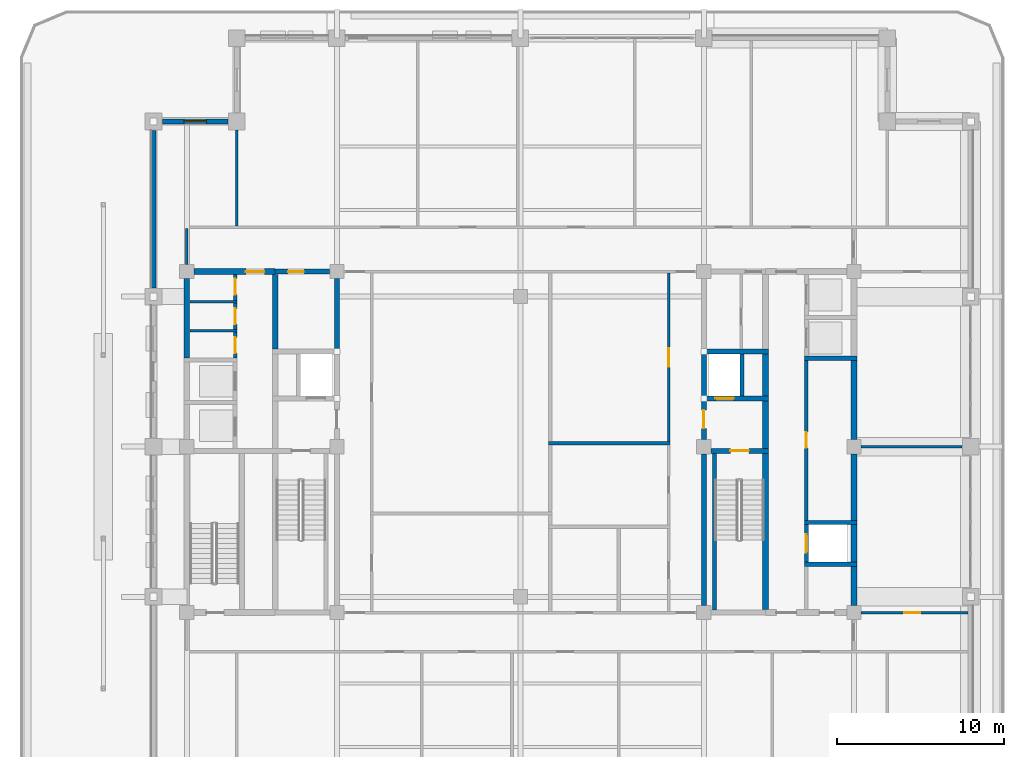
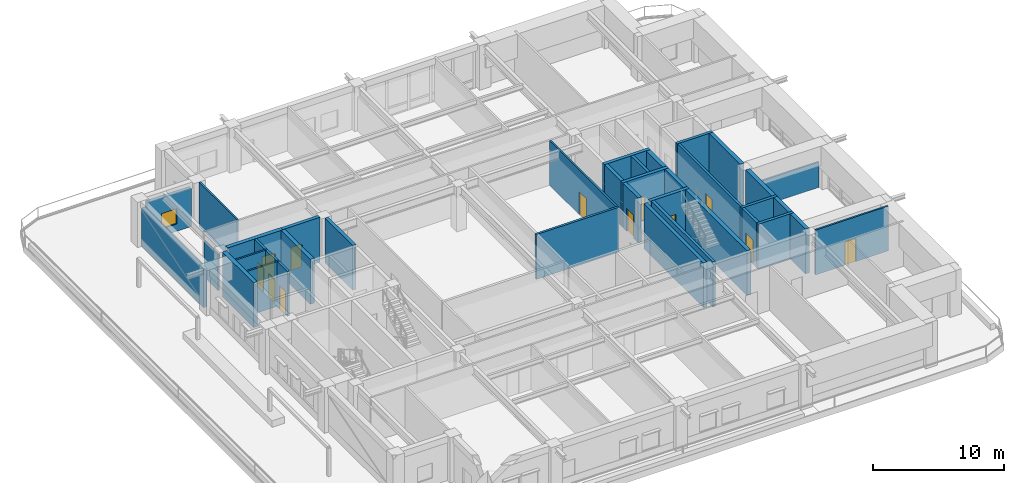
# One storey, part 10 of 20: 38 walls, 12 doors, 1 window, 13 openings.
"""IFC4 building model written with IfcOpenShell, lengths in metres."""

from ifc_helpers import new_model, si_unit, direction, frame, frame_2d, origin, place, context, subcontext, project, spatial, rectangle, extrude, material, layer, layer_set, type_object, element, fill, save


model = new_model("IFC4")

# Units and contexts
model_context = context("Model", 3, precision=1e-05, world=origin(), true_north=direction((0.0, 1.0)))
body_context = subcontext(model_context, "Body", "Model", "MODEL_VIEW")
ifc_project = project(units=[si_unit("LENGTHUNIT", "METRE"), si_unit("AREAUNIT", "SQUARE_METRE"), si_unit("VOLUMEUNIT", "CUBIC_METRE"), si_unit("PLANEANGLEUNIT", "RADIAN"), si_unit("MASSUNIT", "GRAM", prefix="KILO")], contexts=[model_context])

# Site, building, storey
site_placement = place(None, origin())
site = spatial("IfcSite", under=ifc_project, at=site_placement, CompositionType="ELEMENT")
building_placement = place(site_placement, origin())
building = spatial("IfcBuilding", under=site, at=building_placement, Name="Zulmaris Gate Convention Tower", CompositionType="ELEMENT")
storey_placement = place(building_placement, frame((0.0, 0.0, 158.23974609375)))
storey = spatial("IfcBuildingStorey", under=building, at=storey_placement, Name="L40", CompositionType="ELEMENT", Elevation=158.23974609375)

# Walls
ifc_material_1 = material(Name="Concrete C50/60", Category="concrete")
ifc_layer_1 = layer(ifc_material_1, 0.25, Name="Concrete C50/60")
ifc_layer_set_1 = layer_set([ifc_layer_1], Name="Concrete C50/60")
wall_type_1 = type_object("IfcWallType", Name="CORE-250", PredefinedType="SOLIDWALL", material=ifc_layer_set_1)
for number, where, z_axis, x_axis, name in (
    (1, (17.02490234375, -7.050048828125, 0.0), (0.0, 0.0, 1.0), (1.0, 0.0, 0.0), "WL-L40-005"),
    (2, (17.02490234375, -4.550048828125, 0.0), (0.0, 0.0, 1.0), (1.0, 0.0, 0.0), "WL-L40-006"),
    (3, (17.02490234375, 5.300048828125, 0.0), (0.0, 0.0, 1.0), (1.0, 0.0, 0.0), "WL-L40-013"),
):
    element("IfcWall", number, at=place(storey_placement, frame(where, z_axis=z_axis, x_axis=x_axis)), inside=storey, type_object=wall_type_1, Name=name, PredefinedType="SOLIDWALL", context=body_context, shape_type="SweptSolid", body=[
        extrude(rectangle(XDim=3.150146484375, YDim=0.25, at=frame_2d((1.5751953125, 0.0))), origin(), (0.0, 0.0, 1.0), 4.170166015625),
    ])
wall_1_placement = place(storey_placement, frame((11.64990234375, -9.798095703125, 0.0), z_axis=(0.0, 0.0, 1.0), x_axis=(0.0, 1.0, 0.0)))
element("IfcWall", 4, at=wall_1_placement, inside=storey, type_object=wall_type_1, Name="WL-L40-054", PredefinedType="SOLIDWALL", context=body_context, shape_type="SweptSolid", body=[
    extrude(rectangle(XDim=9.39599609375, YDim=0.25, at=frame_2d((4.697998046875, 0.0))), origin(), (0.0, 0.0, 1.0), 4.170166015625),
])
wall_2_placement = place(storey_placement, frame((13.300048828125, 3.052001953125, 0.0), z_axis=(0.0, 0.0, 1.0), x_axis=(0.0, 1.0, 0.0)))
element("IfcWall", 5, at=wall_2_placement, inside=storey, type_object=wall_type_1, Name="WL-L40-055", PredefinedType="SOLIDWALL", context=body_context, shape_type="SweptSolid", body=[
    extrude(rectangle(XDim=2.49609375, YDim=0.25, at=frame_2d((1.248046875, 0.0))), origin(), (0.0, 0.0, 1.0), 4.170166015625),
])

# Wall, opening, door
wall_3_placement = place(storey_placement, frame((17.14990234375, -6.923095703125, 0.0), z_axis=(0.0, 0.0, 1.0), x_axis=(0.0, 1.0, 0.0)))
wall_3 = element("IfcWall", 6, at=wall_3_placement, inside=storey, type_object=wall_type_1, Name="WL-L40-060", PredefinedType="SOLIDWALL", context=body_context, shape_type="SweptSolid", body=[
    extrude(rectangle(XDim=2.24609375, YDim=0.25, at=frame_2d((1.123046875, 0.0))), origin(), (0.0, 0.0, 1.0), 4.170166015625),
])
opening_1_placement = place(wall_3_placement, frame((0.572998046875, 0.0, 0.0)))
opening_1 = element("IfcOpeningElement", 7, at=opening_1_placement, cuts=wall_3, Name="Opening D-06", PredefinedType="OPENING", context=body_context, shape_type="SweptSolid", body=[
    extrude(rectangle(XDim=1.10009765625, YDim=2.199951171875, at=frame_2d((0.550048828125, 1.10009765625))), frame((0.0, 0.135009765625, 0.0), z_axis=(0.0, -1.0, 0.0), x_axis=(1.0, 0.0, 0.0)), (0.0, 0.0, 1.0), 0.27001953125),
])
ifc_material_2 = material(Name="Brushed Stainless Steel", Category="steel")
door_type_1 = type_object("IfcDoorType", Name="LD-1100", OperationType="NOTDEFINED", PredefinedType="DOOR", material=ifc_material_2)
door_1_placement = place(opening_1_placement, origin())
door_1 = element("IfcDoor", 8, at=door_1_placement, inside=storey, type_object=door_type_1, Name="L40 Lift Landing Door SL-02 17", OperationType="SLIDING_TO_RIGHT", OverallHeight=2.199951171875, OverallWidth=1.10009765625, PredefinedType="DOOR", context=body_context, shape_type="SweptSolid", body=[
    extrude(rectangle(XDim=1.10009765625, YDim=2.199951171875, at=frame_2d((0.550048828125, 1.10009765625))), frame((0.0, 0.02490234375, 0.0), z_axis=(0.0, -1.0, 0.0), x_axis=(1.0, 0.0, 0.0)), (0.0, 0.0, 1.0), 0.050048828125),
])
fill(opening_1, door_1)

ifc_layer_2 = layer(ifc_material_1, 0.300048828125, Name="Concrete C50/60")
ifc_layer_set_2 = layer_set([ifc_layer_2], Name="Concrete C50/60")
wall_type_2 = type_object("IfcWallType", Name="CORE-300", PredefinedType="SHEAR", material=ifc_layer_set_2)
wall_4_placement = place(storey_placement, frame((11.428955078125, -0.25, 0.0), z_axis=(0.0, 0.0, 1.0), x_axis=(1.0, 0.0, 0.0)))
wall_4 = element("IfcWall", 9, at=wall_4_placement, inside=storey, type_object=wall_type_2, Name="WL-L40-008", PredefinedType="SHEAR", context=body_context, shape_type="SweptSolid", body=[
    extrude(rectangle(XDim=3.446044921875, YDim=0.300048828125, at=frame_2d((1.72314453125, 0.0))), origin(), (0.0, 0.0, 1.0), 4.170166015625),
])
opening_2_placement = place(wall_4_placement, frame((1.1708984375, 0.0, 0.0)))
opening_2 = element("IfcOpeningElement", 10, at=opening_2_placement, cuts=wall_4, Name="Opening D-08", PredefinedType="OPENING", context=body_context, shape_type="SweptSolid", body=[
    extrude(rectangle(XDim=1.10009765625, YDim=2.14990234375, at=frame_2d((0.550048828125, 1.074951171875))), frame((0.0, 0.16015625, 0.0), z_axis=(0.0, -1.0, 0.0), x_axis=(1.0, 0.0, 0.0)), (0.0, 0.0, 1.0), 0.320068359375),
])
ifc_material_3 = material(Name="Fire-Rated Steel", Category="steel")
door_type_2 = type_object("IfcDoorType", Name="DR-1100-FD", OperationType="NOTDEFINED", PredefinedType="DOOR", material=ifc_material_3)
door_2_placement = place(opening_2_placement, origin())
door_2 = element("IfcDoor", 11, at=door_2_placement, inside=storey, type_object=door_type_2, Name="L40 Exit Stair ST-2 Door 04", OperationType="SINGLE_SWING_RIGHT", OverallHeight=2.14990234375, OverallWidth=1.10009765625, PredefinedType="DOOR", context=body_context, shape_type="SweptSolid", body=[
    extrude(rectangle(XDim=1.10009765625, YDim=2.14990234375, at=frame_2d((0.550048828125, 1.074951171875))), frame((0.0, 0.02490234375, 0.0), z_axis=(0.0, -1.0, 0.0), x_axis=(1.0, 0.0, 0.0)), (0.0, 0.0, 1.0), 0.050048828125),
])
fill(opening_2, door_2)

wall_5_placement = place(storey_placement, frame((10.85009765625, 2.89990234375, 0.0), z_axis=(0.0, 0.0, 1.0), x_axis=(1.0, 0.0, 0.0)))
wall_5 = element("IfcWall", 12, at=wall_5_placement, inside=storey, type_object=wall_type_2, Name="WL-L40-011", PredefinedType="SHEAR", context=body_context, shape_type="SweptSolid", body=[
    extrude(rectangle(XDim=4.02490234375, YDim=0.300048828125, at=frame_2d((2.012451171875, 0.0))), origin(), (0.0, 0.0, 1.0), 4.170166015625),
])
opening_3_placement = place(wall_5_placement, frame((0.85009765625, 0.0, 0.0)))
opening_3 = element("IfcOpeningElement", 13, at=opening_3_placement, cuts=wall_5, Name="Opening D-06", PredefinedType="OPENING", context=body_context, shape_type="SweptSolid", body=[
    extrude(rectangle(XDim=1.10009765625, YDim=2.199951171875, at=frame_2d((0.550048828125, 1.10009765625))), frame((0.0, 0.16015625, 0.0), z_axis=(0.0, -1.0, 0.0), x_axis=(1.0, 0.0, 0.0)), (0.0, 0.0, 1.0), 0.320068359375),
])
door_3_placement = place(opening_3_placement, origin())
door_3 = element("IfcDoor", 14, at=door_3_placement, inside=storey, type_object=door_type_1, Name="L40 Lift Landing Door LF-02 06", OperationType="SLIDING_TO_RIGHT", OverallHeight=2.199951171875, OverallWidth=1.10009765625, PredefinedType="DOOR", context=body_context, shape_type="SweptSolid", body=[
    extrude(rectangle(XDim=1.10009765625, YDim=2.199951171875, at=frame_2d((0.550048828125, 1.10009765625))), frame((0.0, 0.02490234375, 0.0), z_axis=(0.0, -1.0, 0.0), x_axis=(1.0, 0.0, 0.0)), (0.0, 0.0, 1.0), 0.050048828125),
])
fill(opening_3, door_3)

# Wall
wall_6_placement = place(storey_placement, frame((10.85009765625, 5.699951171875, 0.0), z_axis=(0.0, 0.0, 1.0), x_axis=(1.0, 0.0, 0.0)))
element("IfcWall", 15, at=wall_6_placement, inside=storey, type_object=wall_type_2, Name="WL-L40-015", PredefinedType="SHEAR", context=body_context, shape_type="SweptSolid", body=[
    extrude(rectangle(XDim=4.02490234375, YDim=0.300048828125, at=frame_2d((2.012451171875, 0.0))), origin(), (0.0, 0.0, 1.0), 4.170166015625),
])

# Wall, opening, door
wall_7_placement = place(storey_placement, frame((-14.699951171875, 10.5, 0.0), z_axis=(0.0, 0.0, 1.0), x_axis=(1.0, 0.0, 0.0)))
wall_7 = element("IfcWall", 16, at=wall_7_placement, inside=storey, type_object=wall_type_2, Name="WL-L40-018", PredefinedType="SHEAR", context=body_context, shape_type="SweptSolid", body=[
    extrude(rectangle(XDim=3.27099609375, YDim=0.300048828125, at=frame_2d((1.635498046875, 0.0))), origin(), (0.0, 0.0, 1.0), 4.170166015625),
])
opening_4_placement = place(wall_7_placement, frame((0.77490234375, 0.0, 0.0)))
opening_4 = element("IfcOpeningElement", 17, at=opening_4_placement, cuts=wall_7, Name="Opening D-11", PredefinedType="OPENING", context=body_context, shape_type="SweptSolid", body=[
    extrude(rectangle(XDim=0.949951171875, YDim=2.14990234375, at=frame_2d((0.47509765625, 1.074951171875))), frame((0.0, 0.16015625, 0.0), z_axis=(0.0, -1.0, 0.0), x_axis=(1.0, 0.0, 0.0)), (0.0, 0.0, 1.0), 0.320068359375),
])
ifc_material_4 = material(Name="Fire-Rated Timber", Category="wood")
door_type_3 = type_object("IfcDoorType", Name="DR-950-FD", OperationType="NOTDEFINED", PredefinedType="DOOR", material=ifc_material_4)
door_4_placement = place(opening_4_placement, origin())
door_4 = element("IfcDoor", 18, at=door_4_placement, inside=storey, type_object=door_type_3, Name="L40 Core Archive Door 07", OperationType="SINGLE_SWING_RIGHT", OverallHeight=2.14990234375, OverallWidth=0.949951171875, PredefinedType="DOOR", context=body_context, shape_type="SweptSolid", body=[
    extrude(rectangle(XDim=0.949951171875, YDim=2.14990234375, at=frame_2d((0.47509765625, 1.074951171875))), frame((0.0, 0.02490234375, 0.0), z_axis=(0.0, -1.0, 0.0), x_axis=(1.0, 0.0, 0.0)), (0.0, 0.0, 1.0), 0.050048828125),
])
fill(opening_4, door_4)

# Walls
wall_8_placement = place(storey_placement, frame((-11.0, 5.85205078125, 0.0), z_axis=(0.0, 0.0, 1.0), x_axis=(0.0, 1.0, 0.0)))
element("IfcWall", 19, at=wall_8_placement, inside=storey, type_object=wall_type_2, Name="WL-L40-049", PredefinedType="SHEAR", context=body_context, shape_type="SweptSolid", body=[
    extrude(rectangle(XDim=4.218994140625, YDim=0.300048828125, at=frame_2d((2.109375, 0.0))), origin(), (0.0, 0.0, 1.0), 4.170166015625),
])
wall_9_placement = place(storey_placement, frame((11.0, -9.52099609375, 0.0), z_axis=(0.0, 0.0, 1.0), x_axis=(0.0, 1.0, 0.0)))
element("IfcWall", 20, at=wall_9_placement, inside=storey, type_object=wall_type_2, Name="WL-L40-050", PredefinedType="SHEAR", context=body_context, shape_type="SweptSolid", body=[
    extrude(rectangle(XDim=9.092041015625, YDim=0.300048828125, at=frame_2d((4.5458984375, 0.0))), origin(), (0.0, 0.0, 1.0), 4.170166015625),
])

# Wall, opening, door
wall_10_placement = place(storey_placement, frame((11.0, 0.428955078125, 0.0), z_axis=(0.0, 0.0, 1.0), x_axis=(0.0, 1.0, 0.0)))
wall_10 = element("IfcWall", 21, at=wall_10_placement, inside=storey, type_object=wall_type_2, Name="WL-L40-051", PredefinedType="SHEAR", context=body_context, shape_type="SweptSolid", body=[
    extrude(rectangle(XDim=2.319091796875, YDim=0.300048828125, at=frame_2d((1.15966796875, 0.0))), origin(), (0.0, 0.0, 1.0), 4.170166015625),
])
opening_5_placement = place(wall_10_placement, frame((0.6708984375, 0.0, 0.0)))
opening_5 = element("IfcOpeningElement", 22, at=opening_5_placement, cuts=wall_10, Name="Opening D-08", PredefinedType="OPENING", context=body_context, shape_type="SweptSolid", body=[
    extrude(rectangle(XDim=1.10009765625, YDim=2.14990234375, at=frame_2d((0.550048828125, 1.074951171875))), frame((0.0, 0.16015625, 0.0), z_axis=(0.0, -1.0, 0.0), x_axis=(1.0, 0.0, 0.0)), (0.0, 0.0, 1.0), 0.320068359375),
])
door_5_placement = place(opening_5_placement, origin())
door_5 = element("IfcDoor", 23, at=door_5_placement, inside=storey, type_object=door_type_2, Name="L40 East Firefighting Lobby Door 05", OperationType="SINGLE_SWING_LEFT", OverallHeight=2.14990234375, OverallWidth=1.10009765625, PredefinedType="DOOR", context=body_context, shape_type="SweptSolid", body=[
    extrude(rectangle(XDim=1.10009765625, YDim=2.14990234375, at=frame_2d((0.550048828125, 1.074951171875))), frame((0.0, 0.02490234375, 0.0), z_axis=(0.0, -1.0, 0.0), x_axis=(1.0, 0.0, 0.0)), (0.0, 0.0, 1.0), 0.050048828125),
])
fill(opening_5, door_5)

# Wall
wall_11_placement = place(storey_placement, frame((11.0, 3.052001953125, 0.0), z_axis=(0.0, 0.0, 1.0), x_axis=(0.0, 1.0, 0.0)))
element("IfcWall", 24, at=wall_11_placement, inside=storey, type_object=wall_type_2, Name="WL-L40-052", PredefinedType="SHEAR", context=body_context, shape_type="SweptSolid", body=[
    extrude(rectangle(XDim=2.49609375, YDim=0.300048828125, at=frame_2d((1.248046875, 0.0))), origin(), (0.0, 0.0, 1.0), 4.170166015625),
])

# Wall, opening, door
ifc_material_5 = material(Name="Concrete C55/67", Category="concrete")
ifc_layer_3 = layer(ifc_material_5, 0.35009765625, Name="Concrete C55/67")
ifc_layer_set_3 = layer_set([ifc_layer_3], Name="Concrete C55/67")
wall_type_3 = type_object("IfcWallType", Name="CORE-350", PredefinedType="SHEAR", material=ifc_layer_set_3)
wall_12_placement = place(storey_placement, frame((-19.571044921875, 10.5, 0.0), z_axis=(0.0, 0.0, 1.0), x_axis=(1.0, 0.0, 0.0)))
wall_12 = element("IfcWall", 25, at=wall_12_placement, inside=storey, type_object=wall_type_3, Name="WL-L40-017", PredefinedType="SHEAR", context=body_context, shape_type="SweptSolid", body=[
    extrude(rectangle(XDim=4.87109375, YDim=0.35009765625, at=frame_2d((2.435546875, 0.0))), origin(), (0.0, 0.0, 1.0), 4.170166015625),
])
opening_6_placement = place(wall_12_placement, frame((3.12109375, 0.0, 0.0)))
opening_6 = element("IfcOpeningElement", 26, at=opening_6_placement, cuts=wall_12, Name="Opening D-08", PredefinedType="OPENING", context=body_context, shape_type="SweptSolid", body=[
    extrude(rectangle(XDim=1.10009765625, YDim=2.14990234375, at=frame_2d((0.550048828125, 1.074951171875))), frame((0.0, 0.18505859375, 0.0), z_axis=(0.0, -1.0, 0.0), x_axis=(1.0, 0.0, 0.0)), (0.0, 0.0, 1.0), 0.3701171875),
])
door_6_placement = place(opening_6_placement, origin())
door_6 = element("IfcDoor", 27, at=door_6_placement, inside=storey, type_object=door_type_2, Name="L40 High-Rise West Lift Lobby Door 13", OperationType="SINGLE_SWING_RIGHT", OverallHeight=2.14990234375, OverallWidth=1.10009765625, PredefinedType="DOOR", context=body_context, shape_type="SweptSolid", body=[
    extrude(rectangle(XDim=1.10009765625, YDim=2.14990234375, at=frame_2d((0.550048828125, 1.074951171875))), frame((0.0, 0.02490234375, 0.0), z_axis=(0.0, -1.0, 0.0), x_axis=(1.0, 0.0, 0.0)), (0.0, 0.0, 1.0), 0.050048828125),
])
fill(opening_6, door_6)

# Walls
wall_13_placement = place(storey_placement, frame((-20.0, 5.326904296875, 0.0), z_axis=(0.0, 0.0, 1.0), x_axis=(0.0, 1.0, 0.0)))
element("IfcWall", 28, at=wall_13_placement, inside=storey, type_object=wall_type_3, Name="WL-L40-036", PredefinedType="SHEAR", context=body_context, shape_type="SweptSolid", body=[
    extrude(rectangle(XDim=4.744140625, YDim=0.35009765625, at=frame_2d((2.3720703125, 0.0))), origin(), (0.0, 0.0, 1.0), 4.170166015625),
])
wall_14_placement = place(storey_placement, frame((-14.699951171875, 5.85205078125, 0.0), z_axis=(0.0, 0.0, 1.0), x_axis=(0.0, 1.0, 0.0)))
element("IfcWall", 29, at=wall_14_placement, inside=storey, type_object=wall_type_3, Name="WL-L40-043", PredefinedType="SHEAR", context=body_context, shape_type="SweptSolid", body=[
    extrude(rectangle(XDim=4.470947265625, YDim=0.35009765625, at=frame_2d((2.2353515625, 0.0))), origin(), (0.0, 0.0, 1.0), 4.170166015625),
])
wall_15_placement = place(storey_placement, frame((14.699951171875, -9.77294921875, 0.0), z_axis=(0.0, 0.0, 1.0), x_axis=(0.0, 1.0, 0.0)))
element("IfcWall", 30, at=wall_15_placement, inside=storey, type_object=wall_type_3, Name="WL-L40-056", PredefinedType="SHEAR", context=body_context, shape_type="SweptSolid", body=[
    extrude(rectangle(XDim=9.370849609375, YDim=0.35009765625, at=frame_2d((4.685546875, 0.0))), origin(), (0.0, 0.0, 1.0), 4.170166015625),
])
wall_16_placement = place(storey_placement, frame((14.699951171875, -0.097900390625, 0.0), z_axis=(0.0, 0.0, 1.0), x_axis=(0.0, 1.0, 0.0)))
element("IfcWall", 31, at=wall_16_placement, inside=storey, type_object=wall_type_3, Name="WL-L40-057", PredefinedType="SHEAR", context=body_context, shape_type="SweptSolid", body=[
    extrude(rectangle(XDim=2.845947265625, YDim=0.35009765625, at=frame_2d((1.4228515625, 0.0))), origin(), (0.0, 0.0, 1.0), 4.170166015625),
])
wall_17_placement = place(storey_placement, frame((14.699951171875, 3.052001953125, 0.0), z_axis=(0.0, 0.0, 1.0), x_axis=(0.0, 1.0, 0.0)))
element("IfcWall", 32, at=wall_17_placement, inside=storey, type_object=wall_type_3, Name="WL-L40-058", PredefinedType="SHEAR", context=body_context, shape_type="SweptSolid", body=[
    extrude(rectangle(XDim=2.49609375, YDim=0.35009765625, at=frame_2d((1.248046875, 0.0))), origin(), (0.0, 0.0, 1.0), 4.170166015625),
])
wall_18_placement = place(storey_placement, frame((20.0, -9.52099609375, 0.0), z_axis=(0.0, 0.0, 1.0), x_axis=(0.0, 1.0, 0.0)))
element("IfcWall", 33, at=wall_18_placement, inside=storey, type_object=wall_type_3, Name="WL-L40-063", PredefinedType="SHEAR", context=body_context, shape_type="SweptSolid", body=[
    extrude(rectangle(XDim=2.343994140625, YDim=0.35009765625, at=frame_2d((1.171875, 0.0))), origin(), (0.0, 0.0, 1.0), 4.170166015625),
])
wall_19_placement = place(storey_placement, frame((20.0, -6.923095703125, 0.0), z_axis=(0.0, 0.0, 1.0), x_axis=(0.0, 1.0, 0.0)))
element("IfcWall", 34, at=wall_19_placement, inside=storey, type_object=wall_type_3, Name="WL-L40-064", PredefinedType="SHEAR", context=body_context, shape_type="SweptSolid", body=[
    extrude(rectangle(XDim=2.24609375, YDim=0.35009765625, at=frame_2d((1.123046875, 0.0))), origin(), (0.0, 0.0, 1.0), 4.170166015625),
])
wall_20_placement = place(storey_placement, frame((20.0, -4.423095703125, 0.0), z_axis=(0.0, 0.0, 1.0), x_axis=(0.0, 1.0, 0.0)))
element("IfcWall", 35, at=wall_20_placement, inside=storey, type_object=wall_type_3, Name="WL-L40-065", PredefinedType="SHEAR", context=body_context, shape_type="SweptSolid", body=[
    extrude(rectangle(XDim=3.994140625, YDim=0.35009765625, at=frame_2d((1.9970703125, 0.0))), origin(), (0.0, 0.0, 1.0), 4.170166015625),
])
wall_21_placement = place(storey_placement, frame((20.0, 0.428955078125, 0.0), z_axis=(0.0, 0.0, 1.0), x_axis=(0.0, 1.0, 0.0)))
element("IfcWall", 36, at=wall_21_placement, inside=storey, type_object=wall_type_3, Name="WL-L40-065S1", PredefinedType="SHEAR", context=body_context, shape_type="SweptSolid", body=[
    extrude(rectangle(XDim=4.744140625, YDim=0.35009765625, at=frame_2d((2.3720703125, 0.0))), origin(), (0.0, 0.0, 1.0), 4.170166015625),
])

# Wall, opening, door
ifc_material_6 = material(Name="Gypsum Metal Stud Partition")
ifc_layer_4 = layer(ifc_material_6, 0.14990234375, Name="Gypsum Metal Stud Partition")
ifc_layer_set_4 = layer_set([ifc_layer_4], Name="Gypsum Metal Stud Partition")
wall_type_4 = type_object("IfcWallType", Name="PART-150", PredefinedType="PARTITIONING", material=ifc_layer_set_4)
wall_22_placement = place(storey_placement, frame((20.430908203125, -9.949951171875, 0.0), z_axis=(0.0, 0.0, 1.0), x_axis=(1.0, 0.0, 0.0)))
wall_22 = element("IfcWall", 37, at=wall_22_placement, inside=storey, type_object=wall_type_4, Name="WL-L40-023", PredefinedType="PARTITIONING", context=body_context, shape_type="SweptSolid", body=[
    extrude(rectangle(XDim=6.404052734375, YDim=0.14990234375, at=frame_2d((3.2021484375, 0.0))), origin(), (0.0, 0.0, 1.0), 4.170166015625),
])
opening_7_placement = place(wall_22_placement, frame((2.593994140625, 0.0, 0.0)))
opening_7 = element("IfcOpeningElement", 38, at=opening_7_placement, cuts=wall_22, Name="Opening D-11", PredefinedType="OPENING", context=body_context, shape_type="SweptSolid", body=[
    extrude(rectangle(XDim=0.949951171875, YDim=2.14990234375, at=frame_2d((0.47509765625, 1.074951171875))), frame((0.0, 0.0849609375, 0.0), z_axis=(0.0, -1.0, 0.0), x_axis=(1.0, 0.0, 0.0)), (0.0, 0.0, 1.0), 0.169921875),
])
door_7_placement = place(opening_7_placement, origin())
door_7 = element("IfcDoor", 39, at=door_7_placement, inside=storey, type_object=door_type_3, Name="L40 SE Partner Door 47", OperationType="SINGLE_SWING_LEFT", OverallHeight=2.14990234375, OverallWidth=0.949951171875, PredefinedType="DOOR", context=body_context, shape_type="SweptSolid", body=[
    extrude(rectangle(XDim=0.949951171875, YDim=2.14990234375, at=frame_2d((0.47509765625, 1.074951171875))), frame((0.0, 0.02490234375, 0.0), z_axis=(0.0, -1.0, 0.0), x_axis=(1.0, 0.0, 0.0)), (0.0, 0.0, 1.0), 0.050048828125),
])
fill(opening_7, door_7)

# Walls
wall_23_placement = place(storey_placement, frame((20.430908203125, 0.0, 0.0), z_axis=(0.0, 0.0, 1.0), x_axis=(1.0, 0.0, 0.0)))
element("IfcWall", 40, at=wall_23_placement, inside=storey, type_object=wall_type_4, Name="WL-L40-026", PredefinedType="PARTITIONING", context=body_context, shape_type="SweptSolid", body=[
    extrude(rectangle(XDim=6.06298828125, YDim=0.14990234375, at=frame_2d((3.031494140625, 0.0))), origin(), (0.0, 0.0, 1.0), 2.362060546875),
])
for number, where, z_axis, x_axis, name in (
    (41, (-19.822021484375, 6.949951171875, 0.0), (0.0, 0.0, 1.0), (1.0, 0.0, 0.0), "WL-L40-028"),
    (42, (-19.822021484375, 8.699951171875, 0.0), (0.0, 0.0, 1.0), (1.0, 0.0, 0.0), "WL-L40-029"),
):
    element("IfcWall", number, at=place(storey_placement, frame(where, z_axis=z_axis, x_axis=x_axis)), inside=storey, type_object=wall_type_4, Name=name, PredefinedType="PARTITIONING", context=body_context, shape_type="SweptSolid", body=[
        extrude(rectangle(XDim=2.822021484375, YDim=0.14990234375, at=frame_2d((1.4111328125, 0.0))), origin(), (0.0, 0.0, 1.0), 4.170166015625),
    ])
wall_24_placement = place(storey_placement, frame((-20.0, 10.930908203125, 0.0), z_axis=(0.0, 0.0, 1.0), x_axis=(0.0, 1.0, 0.0)))
element("IfcWall", 43, at=wall_24_placement, inside=storey, type_object=wall_type_4, Name="WL-L40-069", PredefinedType="PARTITIONING", context=body_context, shape_type="SweptSolid", body=[
    extrude(rectangle(XDim=2.14111328125, YDim=0.14990234375, at=frame_2d((1.070556640625, 0.0))), origin(), (0.0, 0.0, 1.0), 3.360107421875),
])
wall_25_placement = place(storey_placement, frame((-17.0, 13.22802734375, 0.0), z_axis=(0.0, 0.0, 1.0), x_axis=(0.0, 1.0, 0.0)))
element("IfcWall", 44, at=wall_25_placement, inside=storey, type_object=wall_type_4, Name="WL-L40-074", PredefinedType="PARTITIONING", context=body_context, shape_type="SweptSolid", body=[
    extrude(rectangle(XDim=5.765869140625, YDim=0.14990234375, at=frame_2d((2.8828125, 0.0))), origin(), (0.0, 0.0, 1.0), 4.170166015625),
])

# Wall, opening, door
wall_26_placement = place(storey_placement, frame((8.89990234375, 0.302978515625, 0.0), z_axis=(0.0, 0.0, 1.0), x_axis=(0.0, 1.0, 0.0)))
wall_26 = element("IfcWall", 45, at=wall_26_placement, inside=storey, type_object=wall_type_4, Name="WL-L40-090", PredefinedType="PARTITIONING", context=body_context, shape_type="SweptSolid", body=[
    extrude(rectangle(XDim=10.119140625, YDim=0.14990234375, at=frame_2d((5.0595703125, 0.0))), origin(), (0.0, 0.0, 1.0), 4.170166015625),
])
opening_8_placement = place(wall_26_placement, frame((4.4970703125, 0.0, 0.0)))
opening_8 = element("IfcOpeningElement", 46, at=opening_8_placement, cuts=wall_26, Name="Opening D-08", PredefinedType="OPENING", context=body_context, shape_type="SweptSolid", body=[
    extrude(rectangle(XDim=1.10009765625, YDim=2.14990234375, at=frame_2d((0.550048828125, 1.074951171875))), frame((0.0, 0.0849609375, 0.0), z_axis=(0.0, -1.0, 0.0), x_axis=(1.0, 0.0, 0.0)), (0.0, 0.0, 1.0), 0.169921875),
])
door_8_placement = place(opening_8_placement, origin())
door_8 = element("IfcDoor", 47, at=door_8_placement, inside=storey, type_object=door_type_2, Name="L40 Seminar Forum Door 40", OperationType="SINGLE_SWING_RIGHT", OverallHeight=2.14990234375, OverallWidth=1.10009765625, PredefinedType="DOOR", context=body_context, shape_type="SweptSolid", body=[
    extrude(rectangle(XDim=1.10009765625, YDim=2.14990234375, at=frame_2d((0.550048828125, 1.074951171875))), frame((0.0, 0.02490234375, 0.0), z_axis=(0.0, -1.0, 0.0), x_axis=(1.0, 0.0, 0.0)), (0.0, 0.0, 1.0), 0.050048828125),
])
fill(opening_8, door_8)

# Wall
ifc_material_7 = material(Name="Autoclaved Aerated Concrete Block and Plasterboard", Category="concrete")
ifc_layer_5 = layer(ifc_material_7, 0.199951171875, Name="Autoclaved Aerated Concrete Block and Plasterboard")
ifc_layer_set_5 = layer_set([ifc_layer_5], Name="Autoclaved Aerated Concrete Block and Plasterboard")
wall_type_5 = type_object("IfcWallType", Name="PART-200", PredefinedType="PARTITIONING", material=ifc_layer_set_5)
wall_27_placement = place(storey_placement, frame((1.699951171875, 0.199951171875, 0.0), z_axis=(0.0, 0.0, 1.0), x_axis=(1.0, 0.0, 0.0)))
element("IfcWall", 48, at=wall_27_placement, inside=storey, type_object=wall_type_5, Name="WL-L40-027", PredefinedType="PARTITIONING", context=body_context, shape_type="SweptSolid", body=[
    extrude(rectangle(XDim=7.275146484375, YDim=0.199951171875, at=frame_2d((3.6376953125, 0.0))), origin(), (0.0, 0.0, 1.0), 4.170166015625),
])

# Wall, opening, door
wall_28_placement = place(storey_placement, frame((-17.10009765625, 5.327880859375, 0.0), z_axis=(0.0, 0.0, 1.0), x_axis=(0.0, 1.0, 0.0)))
wall_28 = element("IfcWall", 49, at=wall_28_placement, inside=storey, type_object=wall_type_5, Name="WL-L40-070", PredefinedType="PARTITIONING", context=body_context, shape_type="SweptSolid", body=[
    extrude(rectangle(XDim=1.544189453125, YDim=0.199951171875, at=frame_2d((0.77197265625, 0.0))), origin(), (0.0, 0.0, 1.0), 4.170166015625),
])
opening_9_placement = place(wall_28_placement, frame((0.277099609375, 0.0, 0.0)))
opening_9 = element("IfcOpeningElement", 50, at=opening_9_placement, cuts=wall_28, Name="Opening D-11", PredefinedType="OPENING", context=body_context, shape_type="SweptSolid", body=[
    extrude(rectangle(XDim=0.949951171875, YDim=2.14990234375, at=frame_2d((0.47509765625, 1.074951171875))), frame((0.0, 0.10986328125, 0.0), z_axis=(0.0, -1.0, 0.0), x_axis=(1.0, 0.0, 0.0)), (0.0, 0.0, 1.0), 0.219970703125),
])
door_9_placement = place(opening_9_placement, origin())
door_9 = element("IfcDoor", 51, at=door_9_placement, inside=storey, type_object=door_type_3, Name="L40 Linen Closet Door 16", OperationType="SINGLE_SWING_LEFT", OverallHeight=2.14990234375, OverallWidth=0.949951171875, PredefinedType="DOOR", context=body_context, shape_type="SweptSolid", body=[
    extrude(rectangle(XDim=0.949951171875, YDim=2.14990234375, at=frame_2d((0.47509765625, 1.074951171875))), frame((0.0, 0.02490234375, 0.0), z_axis=(0.0, -1.0, 0.0), x_axis=(1.0, 0.0, 0.0)), (0.0, 0.0, 1.0), 0.050048828125),
])
fill(opening_9, door_9)

wall_29_placement = place(storey_placement, frame((-17.10009765625, 7.028076171875, 0.0), z_axis=(0.0, 0.0, 1.0), x_axis=(0.0, 1.0, 0.0)))
wall_29 = element("IfcWall", 52, at=wall_29_placement, inside=storey, type_object=wall_type_5, Name="WL-L40-071", PredefinedType="PARTITIONING", context=body_context, shape_type="SweptSolid", body=[
    extrude(rectangle(XDim=1.593994140625, YDim=0.199951171875, at=frame_2d((0.796875, 0.0))), origin(), (0.0, 0.0, 1.0), 4.170166015625),
])
opening_10_placement = place(wall_29_placement, frame((0.31689453125, 0.0, 0.0)))
opening_10 = element("IfcOpeningElement", 53, at=opening_10_placement, cuts=wall_29, Name="Opening D-11", PredefinedType="OPENING", context=body_context, shape_type="SweptSolid", body=[
    extrude(rectangle(XDim=0.949951171875, YDim=2.14990234375, at=frame_2d((0.47509765625, 1.074951171875))), frame((0.0, 0.10986328125, 0.0), z_axis=(0.0, -1.0, 0.0), x_axis=(1.0, 0.0, 0.0)), (0.0, 0.0, 1.0), 0.219970703125),
])
door_10_placement = place(opening_10_placement, origin())
door_10 = element("IfcDoor", 54, at=door_10_placement, inside=storey, type_object=door_type_3, Name="L40 Ice Pantry Door 15", OperationType="SINGLE_SWING_RIGHT", OverallHeight=2.14990234375, OverallWidth=0.949951171875, PredefinedType="DOOR", context=body_context, shape_type="SweptSolid", body=[
    extrude(rectangle(XDim=0.949951171875, YDim=2.14990234375, at=frame_2d((0.47509765625, 1.074951171875))), frame((0.0, 0.02490234375, 0.0), z_axis=(0.0, -1.0, 0.0), x_axis=(1.0, 0.0, 0.0)), (0.0, 0.0, 1.0), 0.050048828125),
])
fill(opening_10, door_10)

wall_30_placement = place(storey_placement, frame((-17.10009765625, 8.778076171875, 0.0), z_axis=(0.0, 0.0, 1.0), x_axis=(0.0, 1.0, 0.0)))
wall_30 = element("IfcWall", 55, at=wall_30_placement, inside=storey, type_object=wall_type_5, Name="WL-L40-072", PredefinedType="PARTITIONING", context=body_context, shape_type="SweptSolid", body=[
    extrude(rectangle(XDim=1.5439453125, YDim=0.199951171875, at=frame_2d((0.77197265625, 0.0))), origin(), (0.0, 0.0, 1.0), 4.170166015625),
])
opening_11_placement = place(wall_30_placement, frame((0.346923828125, 0.0, 0.0)))
opening_11 = element("IfcOpeningElement", 56, at=opening_11_placement, cuts=wall_30, Name="Opening D-11", PredefinedType="OPENING", context=body_context, shape_type="SweptSolid", body=[
    extrude(rectangle(XDim=0.949951171875, YDim=2.14990234375, at=frame_2d((0.47509765625, 1.074951171875))), frame((0.0, 0.10986328125, 0.0), z_axis=(0.0, -1.0, 0.0), x_axis=(1.0, 0.0, 0.0)), (0.0, 0.0, 1.0), 0.219970703125),
])
door_11_placement = place(opening_11_placement, origin())
door_11 = element("IfcDoor", 57, at=door_11_placement, inside=storey, type_object=door_type_3, Name="L40 Housekeeping Door 14", OperationType="SINGLE_SWING_LEFT", OverallHeight=2.14990234375, OverallWidth=0.949951171875, PredefinedType="DOOR", context=body_context, shape_type="SweptSolid", body=[
    extrude(rectangle(XDim=0.949951171875, YDim=2.14990234375, at=frame_2d((0.47509765625, 1.074951171875))), frame((0.0, 0.02490234375, 0.0), z_axis=(0.0, -1.0, 0.0), x_axis=(1.0, 0.0, 0.0)), (0.0, 0.0, 1.0), 0.050048828125),
])
fill(opening_11, door_11)

wall_31_placement = place(storey_placement, frame((17.14990234375, -4.422119140625, 0.0), z_axis=(0.0, 0.0, 1.0), x_axis=(0.0, 1.0, 0.0)))
wall_31 = element("IfcWall", 58, at=wall_31_placement, inside=storey, type_object=wall_type_5, Name="WL-L40-095", PredefinedType="PARTITIONING", context=body_context, shape_type="SweptSolid", body=[
    extrude(rectangle(XDim=9.59423828125, YDim=0.199951171875, at=frame_2d((4.797119140625, 0.0))), origin(), (0.0, 0.0, 1.0), 4.170166015625),
])
opening_12_placement = place(wall_31_placement, frame((4.346923828125, 0.0, 0.0)))
opening_12 = element("IfcOpeningElement", 59, at=opening_12_placement, cuts=wall_31, Name="Opening D-11", PredefinedType="OPENING", context=body_context, shape_type="SweptSolid", body=[
    extrude(rectangle(XDim=0.949951171875, YDim=2.14990234375, at=frame_2d((0.47509765625, 1.074951171875))), frame((0.0, 0.10986328125, 0.0), z_axis=(0.0, -1.0, 0.0), x_axis=(1.0, 0.0, 0.0)), (0.0, 0.0, 1.0), 0.219970703125),
])
door_12_placement = place(opening_12_placement, origin())
door_12 = element("IfcDoor", 60, at=door_12_placement, inside=storey, type_object=door_type_3, Name="L40 Catering Store Door 22", OperationType="SINGLE_SWING_RIGHT", OverallHeight=2.14990234375, OverallWidth=0.949951171875, PredefinedType="DOOR", context=body_context, shape_type="SweptSolid", body=[
    extrude(rectangle(XDim=0.949951171875, YDim=2.14990234375, at=frame_2d((0.47509765625, 1.074951171875))), frame((0.0, 0.02490234375, 0.0), z_axis=(0.0, -1.0, 0.0), x_axis=(1.0, 0.0, 0.0)), (0.0, 0.0, 1.0), 0.050048828125),
])
fill(opening_12, door_12)

# Wall, opening, window
ifc_material_8 = material(Name="Precast concrete C40/50", Category="concrete")
ifc_layer_6 = layer(ifc_material_8, 0.300048828125, Name="Precast concrete C40/50")
ifc_layer_set_6 = layer_set([ifc_layer_6], Name="Precast concrete C40/50")
wall_type_6 = type_object("IfcWallType", Name="PRECAST-PIER-300", PredefinedType="STANDARD", material=ifc_layer_set_6)
wall_32_placement = place(storey_placement, frame((-17.530029296875, 19.5, 0.0), z_axis=(0.0, 0.0, 1.0), x_axis=(-1.0, 0.0, 0.0)))
wall_32 = element("IfcWall", 61, at=wall_32_placement, inside=storey, type_object=wall_type_6, Name="EW-L40-NOTCH-NW2_0", PredefinedType="STANDARD", context=body_context, shape_type="SweptSolid", body=[
    extrude(rectangle(XDim=3.93994140625, YDim=0.300048828125, at=frame_2d((1.969970703125, 0.0))), origin(), (0.0, 0.0, 1.0), 3.562255859375),
])
opening_13_placement = place(wall_32_placement, frame((1.294921875, 0.0, 0.679931640625)))
opening_13 = element("IfcOpeningElement", 62, at=opening_13_placement, cuts=wall_32, Name="Opening W-10", PredefinedType="OPENING", context=body_context, shape_type="SweptSolid", body=[
    extrude(rectangle(XDim=1.35009765625, YDim=1.419921875, at=frame_2d((0.675048828125, 0.7099609375))), frame((0.0, 0.16015625, 0.0), z_axis=(0.0, -1.0, 0.0), x_axis=(1.0, 0.0, 0.0)), (0.0, 0.0, 1.0), 0.320068359375),
])
ifc_material_9 = material(Name="Low-E Laminated Double Glazing in Aluminium Frame", Category="aluminium")
window_type = type_object("IfcWindowType", Name="WIN-1350x2000", PartitioningType="SINGLE_PANEL", PredefinedType="WINDOW", material=ifc_material_9)
window_placement = place(opening_13_placement, origin())
window = element("IfcWindow", 63, at=window_placement, inside=storey, type_object=window_type, Name="WN-EW-L40-NOTCH-NW2_0", OverallHeight=1.419921875, OverallWidth=1.35009765625, PartitioningType="SINGLE_PANEL", PredefinedType="WINDOW", context=body_context, shape_type="SweptSolid", body=[
    extrude(rectangle(XDim=1.35009765625, YDim=1.419921875, at=frame_2d((0.675048828125, 0.7099609375))), frame((0.0, 0.030029296875, 0.0), z_axis=(0.0, -1.0, 0.0), x_axis=(1.0, 0.0, 0.0)), (0.0, 0.0, 1.0), 0.06005859375),
])
fill(opening_13, window)

# Wall
wall_33_placement = place(storey_placement, frame((-22.0, 18.969970703125, 0.0), z_axis=(0.0, 0.0, 1.0), x_axis=(0.0, -1.0, 0.0)))
element("IfcWall", 64, at=wall_33_placement, inside=storey, type_object=wall_type_6, Name="EW-L40-W-3_0", PredefinedType="STANDARD", context=body_context, shape_type="SweptSolid", body=[
    extrude(rectangle(XDim=9.43994140625, YDim=0.300048828125, at=frame_2d((4.719970703125, 0.0))), origin(), (0.0, 0.0, 1.0), 3.562255859375),
])

save(model, "model.ifc")
